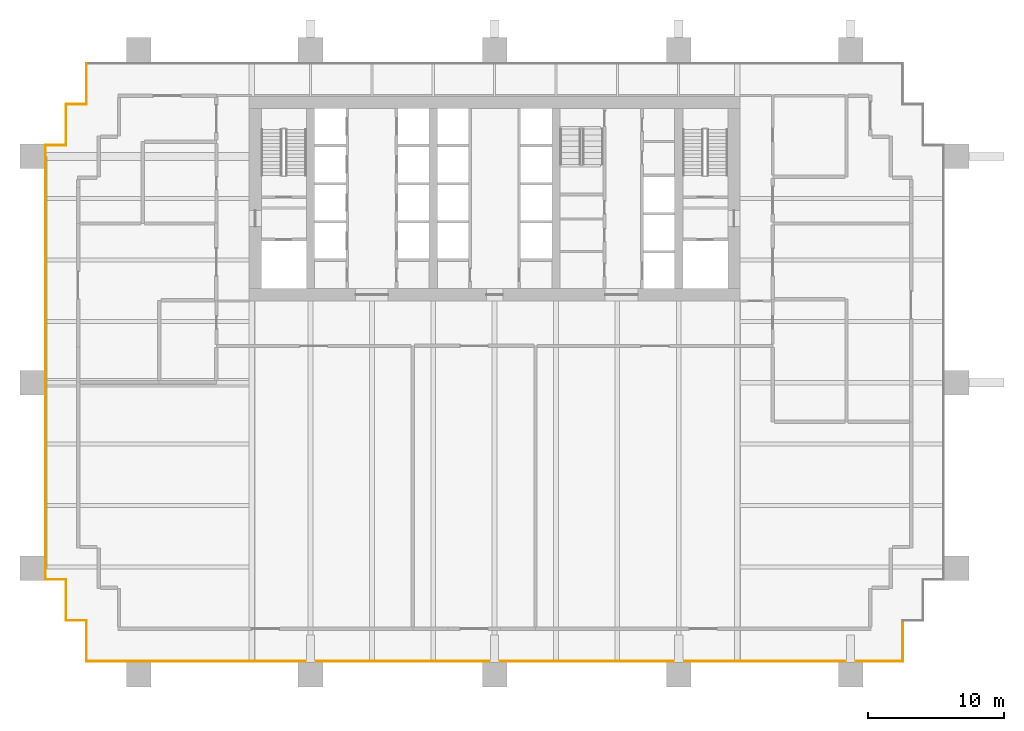
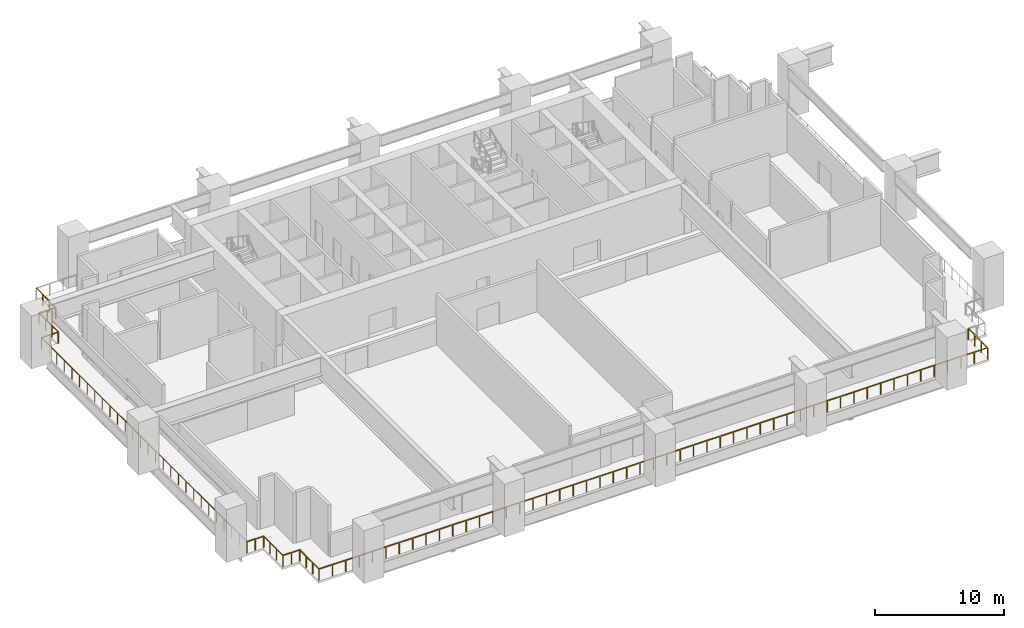
# One storey, part 7 of 11: 11 railings.
"""IFC4 building model written with IfcOpenShell, lengths in metres."""

from ifc_helpers import new_model, si_unit, direction, frame, origin, origin_2d, place, context, subcontext, project, spatial, rectangle, extrude, material, type_object, element, save


model = new_model("IFC4")

# Units and contexts
model_context = context("Model", 3, precision=1e-05, world=origin(), true_north=direction((0.0, 1.0)))
body_context = subcontext(model_context, "Body", "Model", "MODEL_VIEW")
ifc_project = project(units=[si_unit("LENGTHUNIT", "METRE"), si_unit("AREAUNIT", "SQUARE_METRE"), si_unit("VOLUMEUNIT", "CUBIC_METRE"), si_unit("PLANEANGLEUNIT", "RADIAN"), si_unit("MASSUNIT", "GRAM", prefix="KILO")], contexts=[model_context])

# Site, building, storey
site_placement = place(None, origin())
site = spatial("IfcSite", under=ifc_project, at=site_placement, CompositionType="ELEMENT")
building_placement = place(site_placement, origin())
building = spatial("IfcBuilding", under=site, at=building_placement, Name="Rattan Terrace Tower", CompositionType="ELEMENT")
storey_placement = place(building_placement, frame((0.0, 0.0, 69.300048828125)))
storey = spatial("IfcBuildingStorey", under=building, at=storey_placement, Name="L15", CompositionType="ELEMENT", Elevation=69.300048828125)

# Railings
ifc_material = material(Name="Stainless steel 316", Category="steel")
railing_type = type_object("IfcRailingType", Name="Facade Guard 1100", PredefinedType="GUARDRAIL", material=ifc_material)
railing_1_placement = place(storey_placement, frame((29.919921875, -33.919921875, 0.0)))
element("IfcRailing", 1, at=railing_1_placement, inside=storey, type_object=railing_type, Name="Guard L15-1", PredefinedType="GUARDRAIL", context=body_context, shape_type="SweptSolid", body=[
    extrude(rectangle(XDim=0.048095703125, YDim=0.048095703125, at=origin_2d()), frame((0.0, 0.0, 1.076171875), z_axis=(-1.0, 0.0, 0.0), x_axis=(0.0, -1.0, 0.0)), (0.0, 0.0, 1.0), 59.83984375),
    extrude(rectangle(XDim=0.0419921875, YDim=0.0419921875, at=origin_2d()), origin(), (0.0, 0.0, 1.0), 1.052001953125),
    extrude(rectangle(XDim=0.0419921875, YDim=0.0419921875, at=origin_2d()), frame((-1.19677734375, 0.0, 0.0)), (0.0, 0.0, 1.0), 1.052001953125),
    extrude(rectangle(XDim=0.0419921875, YDim=0.0419921875, at=origin_2d()), frame((-2.3935546875, 0.0, 0.0)), (0.0, 0.0, 1.0), 1.052001953125),
    extrude(rectangle(XDim=0.0419921875, YDim=0.0419921875, at=origin_2d()), frame((-3.59033203125, 0.0, 0.0)), (0.0, 0.0, 1.0), 1.052001953125),
    extrude(rectangle(XDim=0.0419921875, YDim=0.0419921875, at=origin_2d()), frame((-4.787109375, 0.0, 0.0)), (0.0, 0.0, 1.0), 1.052001953125),
    extrude(rectangle(XDim=0.0419921875, YDim=0.0419921875, at=origin_2d()), frame((-5.98388671875, 0.0, 0.0)), (0.0, 0.0, 1.0), 1.052001953125),
    extrude(rectangle(XDim=0.0419921875, YDim=0.0419921875, at=origin_2d()), frame((-7.1806640625, 0.0, 0.0)), (0.0, 0.0, 1.0), 1.052001953125),
    extrude(rectangle(XDim=0.0419921875, YDim=0.0419921875, at=origin_2d()), frame((-8.377685546875, 0.0, 0.0)), (0.0, 0.0, 1.0), 1.052001953125),
    extrude(rectangle(XDim=0.0419921875, YDim=0.0419921875, at=origin_2d()), frame((-9.574462890625, 0.0, 0.0)), (0.0, 0.0, 1.0), 1.052001953125),
    extrude(rectangle(XDim=0.0419921875, YDim=0.0419921875, at=origin_2d()), frame((-10.771240234375, 0.0, 0.0)), (0.0, 0.0, 1.0), 1.052001953125),
    extrude(rectangle(XDim=0.0419921875, YDim=0.0419921875, at=origin_2d()), frame((-11.968017578125, 0.0, 0.0)), (0.0, 0.0, 1.0), 1.052001953125),
    extrude(rectangle(XDim=0.0419921875, YDim=0.0419921875, at=origin_2d()), frame((-13.164794921875, 0.0, 0.0)), (0.0, 0.0, 1.0), 1.052001953125),
    extrude(rectangle(XDim=0.0419921875, YDim=0.0419921875, at=origin_2d()), frame((-14.361572265625, 0.0, 0.0)), (0.0, 0.0, 1.0), 1.052001953125),
    extrude(rectangle(XDim=0.0419921875, YDim=0.0419921875, at=origin_2d()), frame((-15.558349609375, 0.0, 0.0)), (0.0, 0.0, 1.0), 1.052001953125),
    extrude(rectangle(XDim=0.0419921875, YDim=0.0419921875, at=origin_2d()), frame((-16.755126953125, 0.0, 0.0)), (0.0, 0.0, 1.0), 1.052001953125),
    extrude(rectangle(XDim=0.0419921875, YDim=0.0419921875, at=origin_2d()), frame((-17.951904296875, 0.0, 0.0)), (0.0, 0.0, 1.0), 1.052001953125),
    extrude(rectangle(XDim=0.0419921875, YDim=0.0419921875, at=origin_2d()), frame((-19.148681640625, 0.0, 0.0)), (0.0, 0.0, 1.0), 1.052001953125),
    extrude(rectangle(XDim=0.0419921875, YDim=0.0419921875, at=origin_2d()), frame((-20.345458984375, 0.0, 0.0)), (0.0, 0.0, 1.0), 1.052001953125),
    extrude(rectangle(XDim=0.0419921875, YDim=0.0419921875, at=origin_2d()), frame((-21.542236328125, 0.0, 0.0)), (0.0, 0.0, 1.0), 1.052001953125),
    extrude(rectangle(XDim=0.0419921875, YDim=0.0419921875, at=origin_2d()), frame((-22.7392578125, 0.0, 0.0)), (0.0, 0.0, 1.0), 1.052001953125),
    extrude(rectangle(XDim=0.0419921875, YDim=0.0419921875, at=origin_2d()), frame((-23.93603515625, 0.0, 0.0)), (0.0, 0.0, 1.0), 1.052001953125),
    extrude(rectangle(XDim=0.0419921875, YDim=0.0419921875, at=origin_2d()), frame((-25.1328125, 0.0, 0.0)), (0.0, 0.0, 1.0), 1.052001953125),
    extrude(rectangle(XDim=0.0419921875, YDim=0.0419921875, at=origin_2d()), frame((-26.32958984375, 0.0, 0.0)), (0.0, 0.0, 1.0), 1.052001953125),
    extrude(rectangle(XDim=0.0419921875, YDim=0.0419921875, at=origin_2d()), frame((-27.5263671875, 0.0, 0.0)), (0.0, 0.0, 1.0), 1.052001953125),
    extrude(rectangle(XDim=0.0419921875, YDim=0.0419921875, at=origin_2d()), frame((-28.72314453125, 0.0, 0.0)), (0.0, 0.0, 1.0), 1.052001953125),
    extrude(rectangle(XDim=0.0419921875, YDim=0.0419921875, at=origin_2d()), frame((-29.919921875, 0.0, 0.0)), (0.0, 0.0, 1.0), 1.052001953125),
    extrude(rectangle(XDim=0.0419921875, YDim=0.0419921875, at=origin_2d()), frame((-31.11669921875, 0.0, 0.0)), (0.0, 0.0, 1.0), 1.052001953125),
    extrude(rectangle(XDim=0.0419921875, YDim=0.0419921875, at=origin_2d()), frame((-32.3134765625, 0.0, 0.0)), (0.0, 0.0, 1.0), 1.052001953125),
    extrude(rectangle(XDim=0.0419921875, YDim=0.0419921875, at=origin_2d()), frame((-33.51025390625, 0.0, 0.0)), (0.0, 0.0, 1.0), 1.052001953125),
    extrude(rectangle(XDim=0.0419921875, YDim=0.0419921875, at=origin_2d()), frame((-34.70703125, 0.0, 0.0)), (0.0, 0.0, 1.0), 1.052001953125),
    extrude(rectangle(XDim=0.0419921875, YDim=0.0419921875, at=origin_2d()), frame((-35.90380859375, 0.0, 0.0)), (0.0, 0.0, 1.0), 1.052001953125),
    extrude(rectangle(XDim=0.0419921875, YDim=0.0419921875, at=origin_2d()), frame((-37.1005859375, 0.0, 0.0)), (0.0, 0.0, 1.0), 1.052001953125),
    extrude(rectangle(XDim=0.0419921875, YDim=0.0419921875, at=origin_2d()), frame((-38.297607421875, 0.0, 0.0)), (0.0, 0.0, 1.0), 1.052001953125),
    extrude(rectangle(XDim=0.0419921875, YDim=0.0419921875, at=origin_2d()), frame((-39.494384765625, 0.0, 0.0)), (0.0, 0.0, 1.0), 1.052001953125),
    extrude(rectangle(XDim=0.0419921875, YDim=0.0419921875, at=origin_2d()), frame((-40.691162109375, 0.0, 0.0)), (0.0, 0.0, 1.0), 1.052001953125),
    extrude(rectangle(XDim=0.0419921875, YDim=0.0419921875, at=origin_2d()), frame((-41.887939453125, 0.0, 0.0)), (0.0, 0.0, 1.0), 1.052001953125),
    extrude(rectangle(XDim=0.0419921875, YDim=0.0419921875, at=origin_2d()), frame((-43.084716796875, 0.0, 0.0)), (0.0, 0.0, 1.0), 1.052001953125),
    extrude(rectangle(XDim=0.0419921875, YDim=0.0419921875, at=origin_2d()), frame((-44.281494140625, 0.0, 0.0)), (0.0, 0.0, 1.0), 1.052001953125),
    extrude(rectangle(XDim=0.0419921875, YDim=0.0419921875, at=origin_2d()), frame((-45.478271484375, 0.0, 0.0)), (0.0, 0.0, 1.0), 1.052001953125),
    extrude(rectangle(XDim=0.0419921875, YDim=0.0419921875, at=origin_2d()), frame((-46.675048828125, 0.0, 0.0)), (0.0, 0.0, 1.0), 1.052001953125),
    extrude(rectangle(XDim=0.0419921875, YDim=0.0419921875, at=origin_2d()), frame((-47.871826171875, 0.0, 0.0)), (0.0, 0.0, 1.0), 1.052001953125),
    extrude(rectangle(XDim=0.0419921875, YDim=0.0419921875, at=origin_2d()), frame((-49.068603515625, 0.0, 0.0)), (0.0, 0.0, 1.0), 1.052001953125),
    extrude(rectangle(XDim=0.0419921875, YDim=0.0419921875, at=origin_2d()), frame((-50.265380859375, 0.0, 0.0)), (0.0, 0.0, 1.0), 1.052001953125),
    extrude(rectangle(XDim=0.0419921875, YDim=0.0419921875, at=origin_2d()), frame((-51.462158203125, 0.0, 0.0)), (0.0, 0.0, 1.0), 1.052001953125),
    extrude(rectangle(XDim=0.0419921875, YDim=0.0419921875, at=origin_2d()), frame((-52.6591796875, 0.0, 0.0)), (0.0, 0.0, 1.0), 1.052001953125),
    extrude(rectangle(XDim=0.0419921875, YDim=0.0419921875, at=origin_2d()), frame((-53.85595703125, 0.0, 0.0)), (0.0, 0.0, 1.0), 1.052001953125),
    extrude(rectangle(XDim=0.0419921875, YDim=0.0419921875, at=origin_2d()), frame((-55.052734375, 0.0, 0.0)), (0.0, 0.0, 1.0), 1.052001953125),
    extrude(rectangle(XDim=0.0419921875, YDim=0.0419921875, at=origin_2d()), frame((-56.24951171875, 0.0, 0.0)), (0.0, 0.0, 1.0), 1.052001953125),
    extrude(rectangle(XDim=0.0419921875, YDim=0.0419921875, at=origin_2d()), frame((-57.4462890625, 0.0, 0.0)), (0.0, 0.0, 1.0), 1.052001953125),
    extrude(rectangle(XDim=0.0419921875, YDim=0.0419921875, at=origin_2d()), frame((-58.64306640625, 0.0, 0.0)), (0.0, 0.0, 1.0), 1.052001953125),
])
railing_2_placement = place(storey_placement, frame((-29.919921875, -33.919921875, 0.0)))
element("IfcRailing", 2, at=railing_2_placement, inside=storey, type_object=railing_type, Name="Guard L15-2", PredefinedType="GUARDRAIL", context=body_context, shape_type="SweptSolid", body=[
    extrude(rectangle(XDim=0.048095703125, YDim=0.048095703125, at=origin_2d()), frame((0.0, 0.0, 1.076171875), z_axis=(0.0, 1.0, 0.0), x_axis=(-1.0, 0.0, 0.0)), (0.0, 0.0, 1.0), 3.0),
    extrude(rectangle(XDim=0.0419921875, YDim=0.0419921875, at=origin_2d()), origin(), (0.0, 0.0, 1.0), 1.052001953125),
    extrude(rectangle(XDim=0.0419921875, YDim=0.0419921875, at=origin_2d()), frame((0.0, 1.0, 0.0)), (0.0, 0.0, 1.0), 1.052001953125),
    extrude(rectangle(XDim=0.0419921875, YDim=0.0419921875, at=origin_2d()), frame((0.0, 2.0, 0.0)), (0.0, 0.0, 1.0), 1.052001953125),
])
railing_3_placement = place(storey_placement, frame((-29.919921875, -30.919921875, 0.0)))
element("IfcRailing", 3, at=railing_3_placement, inside=storey, type_object=railing_type, Name="Guard L15-3", PredefinedType="GUARDRAIL", context=body_context, shape_type="SweptSolid", body=[
    extrude(rectangle(XDim=0.048095703125, YDim=0.048095703125, at=origin_2d()), frame((0.0, 0.0, 1.076171875), z_axis=(-1.0, 0.0, 0.0), x_axis=(0.0, -1.0, 0.0)), (0.0, 0.0, 1.0), 1.5),
    extrude(rectangle(XDim=0.0419921875, YDim=0.0419921875, at=origin_2d()), origin(), (0.0, 0.0, 1.0), 1.052001953125),
    extrude(rectangle(XDim=0.0419921875, YDim=0.0419921875, at=origin_2d()), frame((-0.75, 0.0, 0.0)), (0.0, 0.0, 1.0), 1.052001953125),
])
railing_4_placement = place(storey_placement, frame((-31.419921875, -30.919921875, 0.0)))
element("IfcRailing", 4, at=railing_4_placement, inside=storey, type_object=railing_type, Name="Guard L15-4", PredefinedType="GUARDRAIL", context=body_context, shape_type="SweptSolid", body=[
    extrude(rectangle(XDim=0.048095703125, YDim=0.048095703125, at=origin_2d()), frame((0.0, 0.0, 1.076171875), z_axis=(0.0, 1.0, 0.0), x_axis=(-1.0, 0.0, 0.0)), (0.0, 0.0, 1.0), 3.0),
    extrude(rectangle(XDim=0.0419921875, YDim=0.0419921875, at=origin_2d()), origin(), (0.0, 0.0, 1.0), 1.052001953125),
    extrude(rectangle(XDim=0.0419921875, YDim=0.0419921875, at=origin_2d()), frame((0.0, 1.0, 0.0)), (0.0, 0.0, 1.0), 1.052001953125),
    extrude(rectangle(XDim=0.0419921875, YDim=0.0419921875, at=origin_2d()), frame((0.0, 2.0, 0.0)), (0.0, 0.0, 1.0), 1.052001953125),
])
railing_5_placement = place(storey_placement, frame((-31.419921875, -27.919921875, 0.0)))
element("IfcRailing", 5, at=railing_5_placement, inside=storey, type_object=railing_type, Name="Guard L15-5", PredefinedType="GUARDRAIL", context=body_context, shape_type="SweptSolid", body=[
    extrude(rectangle(XDim=0.048095703125, YDim=0.048095703125, at=origin_2d()), frame((0.0, 0.0, 1.076171875), z_axis=(-1.0, 0.0, 0.0), x_axis=(0.0, -1.0, 0.0)), (0.0, 0.0, 1.0), 1.5),
    extrude(rectangle(XDim=0.0419921875, YDim=0.0419921875, at=origin_2d()), origin(), (0.0, 0.0, 1.0), 1.052001953125),
    extrude(rectangle(XDim=0.0419921875, YDim=0.0419921875, at=origin_2d()), frame((-0.75, 0.0, 0.0)), (0.0, 0.0, 1.0), 1.052001953125),
])
railing_6_placement = place(storey_placement, frame((-32.919921875, -27.919921875, 0.0)))
element("IfcRailing", 6, at=railing_6_placement, inside=storey, type_object=railing_type, Name="Guard L15-6", PredefinedType="GUARDRAIL", context=body_context, shape_type="SweptSolid", body=[
    extrude(rectangle(XDim=0.048095703125, YDim=0.048095703125, at=origin_2d()), frame((0.0, 0.0, 1.076171875), z_axis=(0.0, 1.0, 0.0), x_axis=(-1.0, 0.0, 0.0)), (0.0, 0.0, 1.0), 31.83984375),
    extrude(rectangle(XDim=0.0419921875, YDim=0.0419921875, at=origin_2d()), origin(), (0.0, 0.0, 1.0), 1.052001953125),
    extrude(rectangle(XDim=0.0419921875, YDim=0.0419921875, at=origin_2d()), frame((0.0, 1.17919921875, 0.0)), (0.0, 0.0, 1.0), 1.052001953125),
    extrude(rectangle(XDim=0.0419921875, YDim=0.0419921875, at=origin_2d()), frame((0.0, 2.3583984375, 0.0)), (0.0, 0.0, 1.0), 1.052001953125),
    extrude(rectangle(XDim=0.0419921875, YDim=0.0419921875, at=origin_2d()), frame((0.0, 3.537841796875, 0.0)), (0.0, 0.0, 1.0), 1.052001953125),
    extrude(rectangle(XDim=0.0419921875, YDim=0.0419921875, at=origin_2d()), frame((0.0, 4.717041015625, 0.0)), (0.0, 0.0, 1.0), 1.052001953125),
    extrude(rectangle(XDim=0.0419921875, YDim=0.0419921875, at=origin_2d()), frame((0.0, 5.896240234375, 0.0)), (0.0, 0.0, 1.0), 1.052001953125),
    extrude(rectangle(XDim=0.0419921875, YDim=0.0419921875, at=origin_2d()), frame((0.0, 7.075439453125, 0.0)), (0.0, 0.0, 1.0), 1.052001953125),
    extrude(rectangle(XDim=0.0419921875, YDim=0.0419921875, at=origin_2d()), frame((0.0, 8.2548828125, 0.0)), (0.0, 0.0, 1.0), 1.052001953125),
    extrude(rectangle(XDim=0.0419921875, YDim=0.0419921875, at=origin_2d()), frame((0.0, 9.43408203125, 0.0)), (0.0, 0.0, 1.0), 1.052001953125),
    extrude(rectangle(XDim=0.0419921875, YDim=0.0419921875, at=origin_2d()), frame((0.0, 10.61328125, 0.0)), (0.0, 0.0, 1.0), 1.052001953125),
    extrude(rectangle(XDim=0.0419921875, YDim=0.0419921875, at=origin_2d()), frame((0.0, 11.79248046875, 0.0)), (0.0, 0.0, 1.0), 1.052001953125),
    extrude(rectangle(XDim=0.0419921875, YDim=0.0419921875, at=origin_2d()), frame((0.0, 12.9716796875, 0.0)), (0.0, 0.0, 1.0), 1.052001953125),
    extrude(rectangle(XDim=0.0419921875, YDim=0.0419921875, at=origin_2d()), frame((0.0, 14.151123046875, 0.0)), (0.0, 0.0, 1.0), 1.052001953125),
    extrude(rectangle(XDim=0.0419921875, YDim=0.0419921875, at=origin_2d()), frame((0.0, 15.330322265625, 0.0)), (0.0, 0.0, 1.0), 1.052001953125),
    extrude(rectangle(XDim=0.0419921875, YDim=0.0419921875, at=origin_2d()), frame((0.0, 16.509521484375, 0.0)), (0.0, 0.0, 1.0), 1.052001953125),
    extrude(rectangle(XDim=0.0419921875, YDim=0.0419921875, at=origin_2d()), frame((0.0, 17.688720703125, 0.0)), (0.0, 0.0, 1.0), 1.052001953125),
    extrude(rectangle(XDim=0.0419921875, YDim=0.0419921875, at=origin_2d()), frame((0.0, 18.8681640625, 0.0)), (0.0, 0.0, 1.0), 1.052001953125),
    extrude(rectangle(XDim=0.0419921875, YDim=0.0419921875, at=origin_2d()), frame((0.0, 20.04736328125, 0.0)), (0.0, 0.0, 1.0), 1.052001953125),
    extrude(rectangle(XDim=0.0419921875, YDim=0.0419921875, at=origin_2d()), frame((0.0, 21.2265625, 0.0)), (0.0, 0.0, 1.0), 1.052001953125),
    extrude(rectangle(XDim=0.0419921875, YDim=0.0419921875, at=origin_2d()), frame((0.0, 22.40576171875, 0.0)), (0.0, 0.0, 1.0), 1.052001953125),
    extrude(rectangle(XDim=0.0419921875, YDim=0.0419921875, at=origin_2d()), frame((0.0, 23.5849609375, 0.0)), (0.0, 0.0, 1.0), 1.052001953125),
    extrude(rectangle(XDim=0.0419921875, YDim=0.0419921875, at=origin_2d()), frame((0.0, 24.764404296875, 0.0)), (0.0, 0.0, 1.0), 1.052001953125),
    extrude(rectangle(XDim=0.0419921875, YDim=0.0419921875, at=origin_2d()), frame((0.0, 25.943603515625, 0.0)), (0.0, 0.0, 1.0), 1.052001953125),
    extrude(rectangle(XDim=0.0419921875, YDim=0.0419921875, at=origin_2d()), frame((0.0, 27.122802734375, 0.0)), (0.0, 0.0, 1.0), 1.052001953125),
    extrude(rectangle(XDim=0.0419921875, YDim=0.0419921875, at=origin_2d()), frame((0.0, 28.302001953125, 0.0)), (0.0, 0.0, 1.0), 1.052001953125),
    extrude(rectangle(XDim=0.0419921875, YDim=0.0419921875, at=origin_2d()), frame((0.0, 29.4814453125, 0.0)), (0.0, 0.0, 1.0), 1.052001953125),
    extrude(rectangle(XDim=0.0419921875, YDim=0.0419921875, at=origin_2d()), frame((0.0, 30.66064453125, 0.0)), (0.0, 0.0, 1.0), 1.052001953125),
])
railing_7_placement = place(storey_placement, frame((-32.919921875, 3.919921875, 0.0)))
element("IfcRailing", 7, at=railing_7_placement, inside=storey, type_object=railing_type, Name="Guard L15-7", PredefinedType="GUARDRAIL", context=body_context, shape_type="SweptSolid", body=[
    extrude(rectangle(XDim=0.048095703125, YDim=0.048095703125, at=origin_2d()), frame((0.0, 0.0, 1.076171875), z_axis=(1.0, 0.0, 0.0), x_axis=(0.0, 1.0, 0.0)), (0.0, 0.0, 1.0), 1.5),
    extrude(rectangle(XDim=0.0419921875, YDim=0.0419921875, at=origin_2d()), origin(), (0.0, 0.0, 1.0), 1.052001953125),
    extrude(rectangle(XDim=0.0419921875, YDim=0.0419921875, at=origin_2d()), frame((0.75, 0.0, 0.0)), (0.0, 0.0, 1.0), 1.052001953125),
])
railing_8_placement = place(storey_placement, frame((-31.419921875, 3.919921875, 0.0)))
element("IfcRailing", 8, at=railing_8_placement, inside=storey, type_object=railing_type, Name="Guard L15-8", PredefinedType="GUARDRAIL", context=body_context, shape_type="SweptSolid", body=[
    extrude(rectangle(XDim=0.048095703125, YDim=0.048095703125, at=origin_2d()), frame((0.0, 0.0, 1.076171875), z_axis=(0.0, 1.0, 0.0), x_axis=(-1.0, 0.0, 0.0)), (0.0, 0.0, 1.0), 3.0),
    extrude(rectangle(XDim=0.0419921875, YDim=0.0419921875, at=origin_2d()), origin(), (0.0, 0.0, 1.0), 1.052001953125),
    extrude(rectangle(XDim=0.0419921875, YDim=0.0419921875, at=origin_2d()), frame((0.0, 1.0, 0.0)), (0.0, 0.0, 1.0), 1.052001953125),
    extrude(rectangle(XDim=0.0419921875, YDim=0.0419921875, at=origin_2d()), frame((0.0, 2.0, 0.0)), (0.0, 0.0, 1.0), 1.052001953125),
])
railing_9_placement = place(storey_placement, frame((-31.419921875, 6.919921875, 0.0)))
element("IfcRailing", 9, at=railing_9_placement, inside=storey, type_object=railing_type, Name="Guard L15-9", PredefinedType="GUARDRAIL", context=body_context, shape_type="SweptSolid", body=[
    extrude(rectangle(XDim=0.048095703125, YDim=0.048095703125, at=origin_2d()), frame((0.0, 0.0, 1.076171875), z_axis=(1.0, 0.0, 0.0), x_axis=(0.0, 1.0, 0.0)), (0.0, 0.0, 1.0), 1.5),
    extrude(rectangle(XDim=0.0419921875, YDim=0.0419921875, at=origin_2d()), origin(), (0.0, 0.0, 1.0), 1.052001953125),
    extrude(rectangle(XDim=0.0419921875, YDim=0.0419921875, at=origin_2d()), frame((0.75, 0.0, 0.0)), (0.0, 0.0, 1.0), 1.052001953125),
])
railing_10_placement = place(storey_placement, frame((-29.919921875, 6.919921875, 0.0)))
element("IfcRailing", 10, at=railing_10_placement, inside=storey, type_object=railing_type, Name="Guard L15-10", PredefinedType="GUARDRAIL", context=body_context, shape_type="SweptSolid", body=[
    extrude(rectangle(XDim=0.048095703125, YDim=0.048095703125, at=origin_2d()), frame((0.0, 0.0, 1.076171875), z_axis=(0.0, 1.0, 0.0), x_axis=(-1.0, 0.0, 0.0)), (0.0, 0.0, 1.0), 3.0),
    extrude(rectangle(XDim=0.0419921875, YDim=0.0419921875, at=origin_2d()), origin(), (0.0, 0.0, 1.0), 1.052001953125),
    extrude(rectangle(XDim=0.0419921875, YDim=0.0419921875, at=origin_2d()), frame((0.0, 1.0, 0.0)), (0.0, 0.0, 1.0), 1.052001953125),
    extrude(rectangle(XDim=0.0419921875, YDim=0.0419921875, at=origin_2d()), frame((0.0, 2.0, 0.0)), (0.0, 0.0, 1.0), 1.052001953125),
])
railing_11_placement = place(storey_placement, frame((29.919921875, -30.919921875, 0.0)))
element("IfcRailing", 11, at=railing_11_placement, inside=storey, type_object=railing_type, Name="Guard L15-20", PredefinedType="GUARDRAIL", context=body_context, shape_type="SweptSolid", body=[
    extrude(rectangle(XDim=0.048095703125, YDim=0.048095703125, at=origin_2d()), frame((0.0, 0.0, 1.076171875), z_axis=(0.0, -1.0, 0.0), x_axis=(1.0, 0.0, 0.0)), (0.0, 0.0, 1.0), 3.0),
    extrude(rectangle(XDim=0.0419921875, YDim=0.0419921875, at=origin_2d()), origin(), (0.0, 0.0, 1.0), 1.052001953125),
    extrude(rectangle(XDim=0.0419921875, YDim=0.0419921875, at=origin_2d()), frame((0.0, -1.0, 0.0)), (0.0, 0.0, 1.0), 1.052001953125),
    extrude(rectangle(XDim=0.0419921875, YDim=0.0419921875, at=origin_2d()), frame((0.0, -2.0, 0.0)), (0.0, 0.0, 1.0), 1.052001953125),
])

save(model, "model.ifc")
